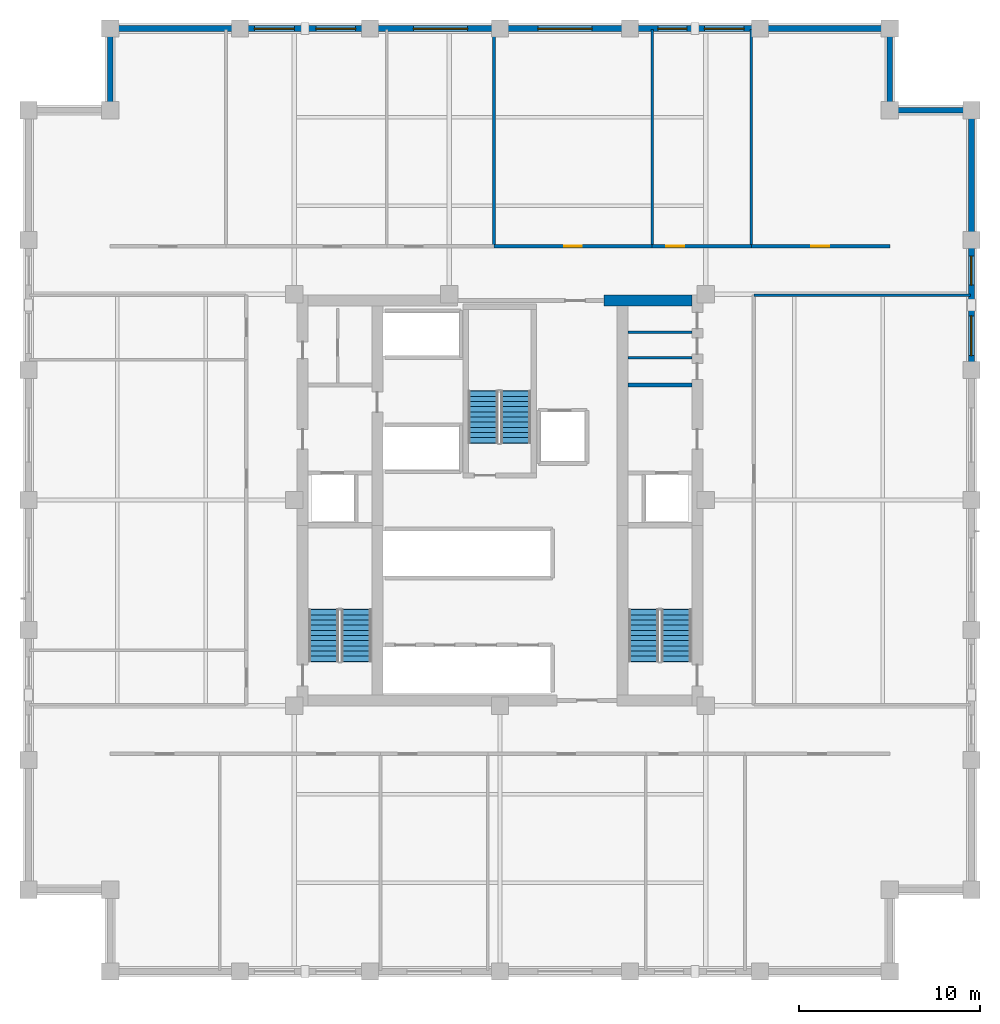
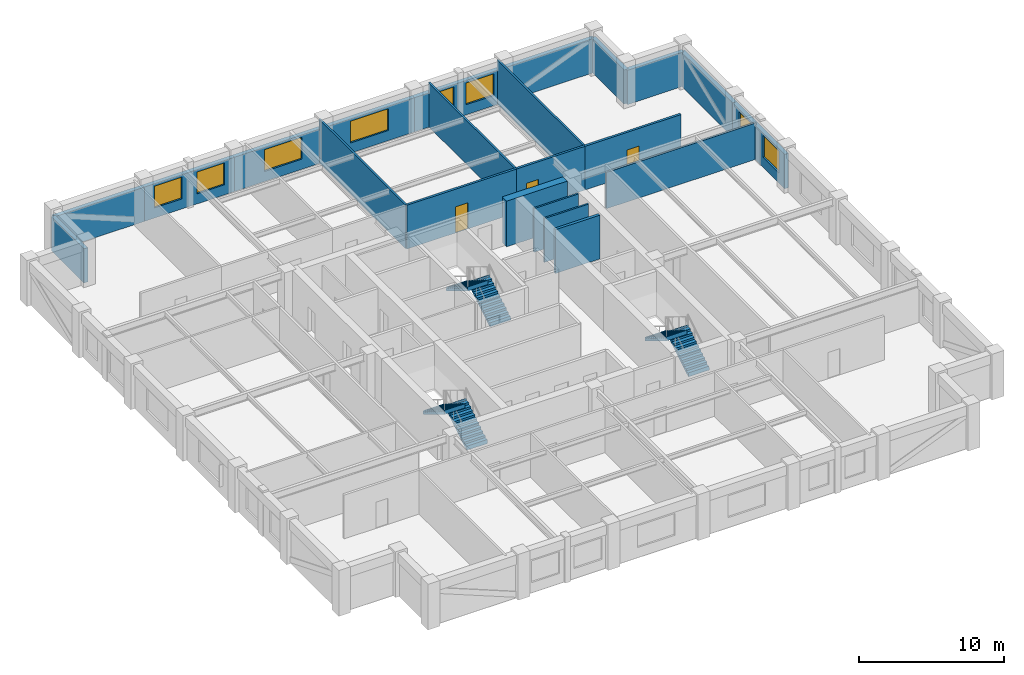
# One storey, part 8 of 9: 22 walls, 8 windows, 6 stair flights, 3 doors, 11 openings, 3 elements without a shape of their own.
"""IFC4 building model written with IfcOpenShell, lengths in metres."""

from ifc_helpers import new_model, si_unit, direction, frame, frame_2d, origin, place, context, subcontext, project, spatial, polyline, rectangle, outline, extrude, material, layer, layer_set, type_object, element, fill, aggregate, save


model = new_model("IFC4")

# Units and contexts
model_context = context("Model", 3, precision=1e-05, world=origin(), true_north=direction((0.0, 1.0)))
body_context = subcontext(model_context, "Body", "Model", "MODEL_VIEW")
ifc_project = project(units=[si_unit("LENGTHUNIT", "METRE"), si_unit("AREAUNIT", "SQUARE_METRE"), si_unit("VOLUMEUNIT", "CUBIC_METRE"), si_unit("PLANEANGLEUNIT", "RADIAN"), si_unit("MASSUNIT", "GRAM", prefix="KILO")], contexts=[model_context])

# Site, building, storey
site_placement = place(None, origin())
site = spatial("IfcSite", under=ifc_project, at=site_placement, CompositionType="ELEMENT")
building_placement = place(site_placement, origin())
building = spatial("IfcBuilding", under=site, at=building_placement, Name="Nhamokura Convention Tower", CompositionType="ELEMENT")
storey_placement = place(building_placement, frame((0.0, 0.0, 126.0)))
storey = spatial("IfcBuildingStorey", under=building, at=storey_placement, Name="L30", CompositionType="ELEMENT", Elevation=126.0)

# Walls
ifc_material_1 = material(Name="Moisture-resistant tile-backer partition", Category="masonry")
ifc_layer_1 = layer(ifc_material_1, 0.139892578125)
ifc_layer_set_1 = layer_set([ifc_layer_1], Name="BathroomWetWall_140")
wall_type_1 = type_object("IfcWallType", Name="BathroomWetWall_140", PredefinedType="STANDARD", material=ifc_layer_set_1)
for number, where, z_axis, x_axis, name in (
    (1, (39.06005859375, 39.85009765625, 0.0), (0.0, 0.0, 1.0), (1.0, 0.0, 0.0), "L30 Wall INT-L30-CWNE1"),
    (2, (39.06005859375, 41.25, 0.0), (0.0, 0.0, 1.0), (1.0, 0.0, 0.0), "L30 Wall INT-L30-CWNE2"),
):
    element("IfcWall", number, at=place(storey_placement, frame(where, z_axis=z_axis, x_axis=x_axis)), inside=storey, type_object=wall_type_1, Name=name, PredefinedType="STANDARD", context=body_context, shape_type="SweptSolid", body=[
        extrude(rectangle(XDim=3.530029296875, YDim=0.139892578125, at=frame_2d((1.76513671875, 0.0))), origin(), (0.0, 0.0, 1.0), 3.68505859375),
    ])
ifc_material_2 = material(Name="Bronze-pigmented precast concrete C45/55", Category="concrete")
ifc_layer_2 = layer(ifc_material_2, 0.320068359375)
ifc_layer_set_2 = layer_set([ifc_layer_2], Name="BronzePrecastSpandrel_320")
wall_type_2 = type_object("IfcWallType", Name="BronzePrecastSpandrel_320", PredefinedType="USERDEFINED", material=ifc_layer_set_2)
wall_1_placement = place(storey_placement, frame((10.5, 58.0, 0.0), z_axis=(0.0, 0.0, 1.0), x_axis=(1.0, 0.0, 0.0)))
element("IfcWall", 3, at=wall_1_placement, inside=storey, type_object=wall_type_2, Name="L30 Braced-Bay Precast Wall NORTH 0", ObjectType="SPANDREL_WALL", PredefinedType="USERDEFINED", context=body_context, shape_type="SweptSolid", body=[
    extrude(rectangle(XDim=7.166748046875, YDim=0.320068359375, at=frame_2d((3.58349609375, 0.0))), origin(), (0.0, 0.0, 1.0), 2.885009765625),
])

# Wall, openings, windows
wall_2_placement = place(storey_placement, frame((17.666748046875, 58.0, 0.0), z_axis=(0.0, 0.0, 1.0), x_axis=(1.0, 0.0, 0.0)))
wall_2 = element("IfcWall", 4, at=wall_2_placement, inside=storey, type_object=wall_type_2, Name="L30 Masonry-Frame Wall NORTH 1", ObjectType="SPANDREL_WALL", PredefinedType="USERDEFINED", context=body_context, shape_type="SweptSolid", body=[
    extrude(rectangle(XDim=7.16650390625, YDim=0.320068359375, at=frame_2d((3.583251953125, 0.0))), origin(), (0.0, 0.0, 1.0), 2.885009765625),
])
opening_1_placement = place(wall_2_placement, frame((0.791748046875, 0.0, 0.85009765625)))
opening_1 = element("IfcOpeningElement", 5, at=opening_1_placement, cuts=wall_2, Name="Opening W-06", PredefinedType="OPENING", context=body_context, shape_type="SweptSolid", body=[
    extrude(rectangle(XDim=2.199951171875, YDim=1.8349609375, at=frame_2d((1.10009765625, 0.91748046875))), frame((0.0, 0.169921875, 0.0), z_axis=(0.0, -1.0, 0.0), x_axis=(1.0, 0.0, 0.0)), (0.0, 0.0, 1.0), 0.340087890625),
])
opening_2_placement = place(wall_2_placement, frame((4.175048828125, 0.0, 0.85009765625)))
opening_2 = element("IfcOpeningElement", 6, at=opening_2_placement, cuts=wall_2, Name="Opening W-06", PredefinedType="OPENING", context=body_context, shape_type="SweptSolid", body=[
    extrude(rectangle(XDim=2.199951171875, YDim=1.8349609375, at=frame_2d((1.10009765625, 0.91748046875))), frame((0.0, 0.169921875, 0.0), z_axis=(0.0, -1.0, 0.0), x_axis=(1.0, 0.0, 0.0)), (0.0, 0.0, 1.0), 0.340087890625),
])
ifc_material_3 = material(Name="Solar-control bronze low-E double glass", Category="glass")
window_type_1 = type_object("IfcWindowType", Name="OfficeModuleWindow_Z2_2200", PartitioningType="SINGLE_PANEL", PredefinedType="WINDOW", material=ifc_material_3)
window_1_placement = place(opening_1_placement, origin())
window_1 = element("IfcWindow", 7, at=window_1_placement, inside=storey, type_object=window_type_1, Name="L30 Facade Window NORTH 1-1", OverallHeight=1.8349609375, OverallWidth=2.199951171875, PartitioningType="SINGLE_PANEL", PredefinedType="WINDOW", context=body_context, shape_type="SweptSolid", body=[
    extrude(rectangle(XDim=2.199951171875, YDim=1.8349609375, at=frame_2d((1.10009765625, 0.91748046875))), frame((0.0, 0.030029296875, 0.0), z_axis=(0.0, -1.0, 0.0), x_axis=(1.0, 0.0, 0.0)), (0.0, 0.0, 1.0), 0.06005859375),
])
fill(opening_1, window_1)
window_2_placement = place(opening_2_placement, origin())
window_2 = element("IfcWindow", 8, at=window_2_placement, inside=storey, type_object=window_type_1, Name="L30 Facade Window NORTH 1-2", OverallHeight=1.8349609375, OverallWidth=2.199951171875, PartitioningType="SINGLE_PANEL", PredefinedType="WINDOW", context=body_context, shape_type="SweptSolid", body=[
    extrude(rectangle(XDim=2.199951171875, YDim=1.8349609375, at=frame_2d((1.10009765625, 0.91748046875))), frame((0.0, 0.030029296875, 0.0), z_axis=(0.0, -1.0, 0.0), x_axis=(1.0, 0.0, 0.0)), (0.0, 0.0, 1.0), 0.06005859375),
])
fill(opening_2, window_2)

# Wall, opening, window
wall_3_placement = place(storey_placement, frame((24.833251953125, 58.0, 0.0), z_axis=(0.0, 0.0, 1.0), x_axis=(1.0, 0.0, 0.0)))
wall_3 = element("IfcWall", 9, at=wall_3_placement, inside=storey, type_object=wall_type_2, Name="L30 Masonry-Frame Wall NORTH 2", ObjectType="SPANDREL_WALL", PredefinedType="USERDEFINED", context=body_context, shape_type="SweptSolid", body=[
    extrude(rectangle(XDim=7.166748046875, YDim=0.320068359375, at=frame_2d((3.58349609375, 0.0))), origin(), (0.0, 0.0, 1.0), 2.885009765625),
])
opening_3_placement = place(wall_3_placement, frame((2.38330078125, 0.0, 0.85009765625)))
opening_3 = element("IfcOpeningElement", 10, at=opening_3_placement, cuts=wall_3, Name="Opening W-05", PredefinedType="OPENING", context=body_context, shape_type="SweptSolid", body=[
    extrude(rectangle(XDim=3.0, YDim=1.8349609375, at=frame_2d((1.5, 0.91748046875))), frame((0.0, 0.169921875, 0.0), z_axis=(0.0, -1.0, 0.0), x_axis=(1.0, 0.0, 0.0)), (0.0, 0.0, 1.0), 0.340087890625),
])
ifc_material_4 = material(Name="Solar-control bronze low-E double glass", Category="glass")
window_type_2 = type_object("IfcWindowType", Name="OfficeModuleWindow_Z2_3000", PartitioningType="DOUBLE_PANEL_VERTICAL", PredefinedType="WINDOW", material=ifc_material_4)
window_3_placement = place(opening_3_placement, origin())
window_3 = element("IfcWindow", 11, at=window_3_placement, inside=storey, type_object=window_type_2, Name="L30 Facade Window NORTH 2", OverallHeight=1.8349609375, OverallWidth=3.0, PartitioningType="SINGLE_PANEL", PredefinedType="WINDOW", context=body_context, shape_type="SweptSolid", body=[
    extrude(rectangle(XDim=3.0, YDim=1.8349609375, at=frame_2d((1.5, 0.91748046875))), frame((0.0, 0.030029296875, 0.0), z_axis=(0.0, -1.0, 0.0), x_axis=(1.0, 0.0, 0.0)), (0.0, 0.0, 1.0), 0.06005859375),
])
fill(opening_3, window_3)

wall_4_placement = place(storey_placement, frame((32.0, 58.0, 0.0), z_axis=(0.0, 0.0, 1.0), x_axis=(1.0, 0.0, 0.0)))
wall_4 = element("IfcWall", 12, at=wall_4_placement, inside=storey, type_object=wall_type_2, Name="L30 Masonry-Frame Wall NORTH 3", ObjectType="SPANDREL_WALL", PredefinedType="USERDEFINED", context=body_context, shape_type="SweptSolid", body=[
    extrude(rectangle(XDim=7.166748046875, YDim=0.320068359375, at=frame_2d((3.58349609375, 0.0))), origin(), (0.0, 0.0, 1.0), 2.885009765625),
])
opening_4_placement = place(wall_4_placement, frame((2.083251953125, 0.0, 0.85009765625)))
opening_4 = element("IfcOpeningElement", 13, at=opening_4_placement, cuts=wall_4, Name="Opening W-05", PredefinedType="OPENING", context=body_context, shape_type="SweptSolid", body=[
    extrude(rectangle(XDim=3.0, YDim=1.8349609375, at=frame_2d((1.5, 0.91748046875))), frame((0.0, 0.169921875, 0.0), z_axis=(0.0, -1.0, 0.0), x_axis=(1.0, 0.0, 0.0)), (0.0, 0.0, 1.0), 0.340087890625),
])
window_4_placement = place(opening_4_placement, origin())
window_4 = element("IfcWindow", 14, at=window_4_placement, inside=storey, type_object=window_type_2, Name="L30 Facade Window NORTH 3", OverallHeight=1.8349609375, OverallWidth=3.0, PartitioningType="SINGLE_PANEL", PredefinedType="WINDOW", context=body_context, shape_type="SweptSolid", body=[
    extrude(rectangle(XDim=3.0, YDim=1.8349609375, at=frame_2d((1.5, 0.91748046875))), frame((0.0, 0.030029296875, 0.0), z_axis=(0.0, -1.0, 0.0), x_axis=(1.0, 0.0, 0.0)), (0.0, 0.0, 1.0), 0.06005859375),
])
fill(opening_4, window_4)

# Wall, openings, windows
wall_5_placement = place(storey_placement, frame((39.166748046875, 58.0, 0.0), z_axis=(0.0, 0.0, 1.0), x_axis=(1.0, 0.0, 0.0)))
wall_5 = element("IfcWall", 15, at=wall_5_placement, inside=storey, type_object=wall_type_2, Name="L30 Masonry-Frame Wall NORTH 4", ObjectType="SPANDREL_WALL", PredefinedType="USERDEFINED", context=body_context, shape_type="SweptSolid", body=[
    extrude(rectangle(XDim=7.16650390625, YDim=0.320068359375, at=frame_2d((3.583251953125, 0.0))), origin(), (0.0, 0.0, 1.0), 2.885009765625),
])
opening_5_placement = place(wall_5_placement, frame((1.541748046875, 0.0, 0.85009765625)))
opening_5 = element("IfcOpeningElement", 16, at=opening_5_placement, cuts=wall_5, Name="Opening W-11", PredefinedType="OPENING", context=body_context, shape_type="SweptSolid", body=[
    extrude(rectangle(XDim=1.60009765625, YDim=1.8349609375, at=frame_2d((0.800048828125, 0.91748046875))), frame((0.0, 0.169921875, 0.0), z_axis=(0.0, -1.0, 0.0), x_axis=(1.0, 0.0, 0.0)), (0.0, 0.0, 1.0), 0.340087890625),
])
opening_6_placement = place(wall_5_placement, frame((4.10009765625, 0.0, 0.85009765625)))
opening_6 = element("IfcOpeningElement", 17, at=opening_6_placement, cuts=wall_5, Name="Opening W-06", PredefinedType="OPENING", context=body_context, shape_type="SweptSolid", body=[
    extrude(rectangle(XDim=2.199951171875, YDim=1.8349609375, at=frame_2d((1.10009765625, 0.91748046875))), frame((0.0, 0.169921875, 0.0), z_axis=(0.0, -1.0, 0.0), x_axis=(1.0, 0.0, 0.0)), (0.0, 0.0, 1.0), 0.340087890625),
])
ifc_material_5 = material(Name="Solar-control bronze low-E double glass", Category="glass")
window_type_3 = type_object("IfcWindowType", Name="NotchCornerWindow_1600", PartitioningType="SINGLE_PANEL", PredefinedType="WINDOW", material=ifc_material_5)
window_5_placement = place(opening_5_placement, origin())
window_5 = element("IfcWindow", 18, at=window_5_placement, inside=storey, type_object=window_type_3, Name="L30 Facade Window NORTH 4-2", OverallHeight=1.8349609375, OverallWidth=1.60009765625, PartitioningType="SINGLE_PANEL", PredefinedType="WINDOW", context=body_context, shape_type="SweptSolid", body=[
    extrude(rectangle(XDim=1.60009765625, YDim=1.8349609375, at=frame_2d((0.800048828125, 0.91748046875))), frame((0.0, 0.030029296875, 0.0), z_axis=(0.0, -1.0, 0.0), x_axis=(1.0, 0.0, 0.0)), (0.0, 0.0, 1.0), 0.06005859375),
])
fill(opening_5, window_5)
window_6_placement = place(opening_6_placement, origin())
window_6 = element("IfcWindow", 19, at=window_6_placement, inside=storey, type_object=window_type_1, Name="L30 Facade Window NORTH 4-3", OverallHeight=1.8349609375, OverallWidth=2.199951171875, PartitioningType="SINGLE_PANEL", PredefinedType="WINDOW", context=body_context, shape_type="SweptSolid", body=[
    extrude(rectangle(XDim=2.199951171875, YDim=1.8349609375, at=frame_2d((1.10009765625, 0.91748046875))), frame((0.0, 0.030029296875, 0.0), z_axis=(0.0, -1.0, 0.0), x_axis=(1.0, 0.0, 0.0)), (0.0, 0.0, 1.0), 0.06005859375),
])
fill(opening_6, window_6)

# Wall
wall_6_placement = place(storey_placement, frame((46.333251953125, 58.0, 0.0), z_axis=(0.0, 0.0, 1.0), x_axis=(1.0, 0.0, 0.0)))
element("IfcWall", 20, at=wall_6_placement, inside=storey, type_object=wall_type_2, Name="L30 Braced-Bay Precast Wall NORTH 5", ObjectType="SPANDREL_WALL", PredefinedType="USERDEFINED", context=body_context, shape_type="SweptSolid", body=[
    extrude(rectangle(XDim=7.166748046875, YDim=0.320068359375, at=frame_2d((3.58349609375, 0.0))), origin(), (0.0, 0.0, 1.0), 2.885009765625),
])

# Wall, openings, windows
wall_7_placement = place(storey_placement, frame((58.0, 46.333251953125, 0.0), z_axis=(0.0, 0.0, 1.0), x_axis=(0.0, -1.0, 0.0)))
wall_7 = element("IfcWall", 21, at=wall_7_placement, inside=storey, type_object=wall_type_2, Name="L30 Masonry-Frame Wall EAST 4", ObjectType="SPANDREL_WALL", PredefinedType="USERDEFINED", context=body_context, shape_type="SweptSolid", body=[
    extrude(rectangle(XDim=7.16650390625, YDim=0.320068359375, at=frame_2d((3.583251953125, 0.0))), origin(), (0.0, 0.0, 1.0), 2.885009765625),
])
opening_7_placement = place(wall_7_placement, frame((0.879150390625, 0.0, 0.85009765625)))
opening_7 = element("IfcOpeningElement", 22, at=opening_7_placement, cuts=wall_7, Name="Opening W-11", PredefinedType="OPENING", context=body_context, shape_type="SweptSolid", body=[
    extrude(rectangle(XDim=1.60009765625, YDim=1.8349609375, at=frame_2d((0.800048828125, 0.91748046875))), frame((0.0, 0.169921875, 0.0), z_axis=(0.0, -1.0, 0.0), x_axis=(1.0, 0.0, 0.0)), (0.0, 0.0, 1.0), 0.340087890625),
])
opening_8_placement = place(wall_7_placement, frame((4.175048828125, 0.0, 0.85009765625)))
opening_8 = element("IfcOpeningElement", 23, at=opening_8_placement, cuts=wall_7, Name="Opening W-06", PredefinedType="OPENING", context=body_context, shape_type="SweptSolid", body=[
    extrude(rectangle(XDim=2.199951171875, YDim=1.8349609375, at=frame_2d((1.10009765625, 0.91748046875))), frame((0.0, 0.169921875, 0.0), z_axis=(0.0, -1.0, 0.0), x_axis=(1.0, 0.0, 0.0)), (0.0, 0.0, 1.0), 0.340087890625),
])
window_7_placement = place(opening_7_placement, origin())
window_7 = element("IfcWindow", 24, at=window_7_placement, inside=storey, type_object=window_type_3, Name="L30 Facade Window EAST 4-1", OverallHeight=1.8349609375, OverallWidth=1.60009765625, PartitioningType="SINGLE_PANEL", PredefinedType="WINDOW", context=body_context, shape_type="SweptSolid", body=[
    extrude(rectangle(XDim=1.60009765625, YDim=1.8349609375, at=frame_2d((0.800048828125, 0.91748046875))), frame((0.0, 0.030029296875, 0.0), z_axis=(0.0, -1.0, 0.0), x_axis=(1.0, 0.0, 0.0)), (0.0, 0.0, 1.0), 0.06005859375),
])
fill(opening_7, window_7)
window_8_placement = place(opening_8_placement, origin())
window_8 = element("IfcWindow", 25, at=window_8_placement, inside=storey, type_object=window_type_1, Name="L30 Facade Window EAST 4-2", OverallHeight=1.8349609375, OverallWidth=2.199951171875, PartitioningType="SINGLE_PANEL", PredefinedType="WINDOW", context=body_context, shape_type="SweptSolid", body=[
    extrude(rectangle(XDim=2.199951171875, YDim=1.8349609375, at=frame_2d((1.10009765625, 0.91748046875))), frame((0.0, 0.030029296875, 0.0), z_axis=(0.0, -1.0, 0.0), x_axis=(1.0, 0.0, 0.0)), (0.0, 0.0, 1.0), 0.06005859375),
])
fill(opening_8, window_8)

# Walls
wall_8_placement = place(storey_placement, frame((58.0, 53.5, 0.0), z_axis=(0.0, 0.0, 1.0), x_axis=(0.0, -1.0, 0.0)))
element("IfcWall", 26, at=wall_8_placement, inside=storey, type_object=wall_type_2, Name="L30 Braced-Bay Precast Wall EAST 5", ObjectType="SPANDREL_WALL", PredefinedType="USERDEFINED", context=body_context, shape_type="SweptSolid", body=[
    extrude(rectangle(XDim=7.166748046875, YDim=0.320068359375, at=frame_2d((3.58349609375, 0.0))), origin(), (0.0, 0.0, 1.0), 2.885009765625),
])
for number, where, z_axis, x_axis, name in (
    (27, (53.5, 53.5, 0.0), (0.0, 0.0, 1.0), (1.0, 0.0, 0.0), "L30 Notched Corner Wall NE1"),
    (28, (53.5, 58.0, 0.0), (0.0, 0.0, 1.0), (0.0, -1.0, 0.0), "L30 Notched Corner Wall NE2"),
    (29, (10.5, 53.5, 0.0), (0.0, 0.0, 1.0), (0.0, 1.0, 0.0), "L30 Notched Corner Wall NW1"),
):
    element("IfcWall", number, at=place(storey_placement, frame(where, z_axis=z_axis, x_axis=x_axis)), inside=storey, type_object=wall_type_2, Name=name, ObjectType="SPANDREL_WALL", PredefinedType="USERDEFINED", context=body_context, shape_type="SweptSolid", body=[
        extrude(rectangle(XDim=4.5, YDim=0.320068359375, at=frame_2d((2.25, 0.0))), origin(), (0.0, 0.0, 1.0), 2.885009765625),
    ])
ifc_material_6 = material(Name="Concrete C60/75", Category="concrete")
ifc_layer_3 = layer(ifc_material_6, 0.60009765625)
ifc_layer_set_3 = layer_set([ifc_layer_3], Name="CoreShearWall_600")
wall_type_3 = type_object("IfcWallType", Name="CoreShearWall_600", PredefinedType="SHEAR", material=ifc_layer_set_3)
wall_9_placement = place(storey_placement, frame((37.75, 43.0, 0.0), z_axis=(0.0, 0.0, 1.0), x_axis=(1.0, 0.0, 0.0)))
element("IfcWall", 30, at=wall_9_placement, inside=storey, type_object=wall_type_3, Name="L30 Core Shear Wall CW-N2", PredefinedType="SHEAR", context=body_context, shape_type="SweptSolid", body=[
    extrude(rectangle(XDim=4.840087890625, YDim=0.60009765625, at=frame_2d((2.419921875, 0.0))), origin(), (0.0, 0.0, 1.0), 3.85009765625),
])

# Wall, opening, door
ifc_material_7 = material(Name="Fire-rated gypsum and masonry partition", Category="masonry")
ifc_layer_4 = layer(ifc_material_7, 0.179931640625)
ifc_layer_set_4 = layer_set([ifc_layer_4], Name="CorridorRatedWall_180")
wall_type_4 = type_object("IfcWallType", Name="CorridorRatedWall_180", PredefinedType="STANDARD", material=ifc_layer_set_4)
wall_10_placement = place(storey_placement, frame((31.675048828125, 46.0, 0.0), z_axis=(0.0, 0.0, 1.0), x_axis=(1.0, 0.0, 0.0)))
wall_10 = element("IfcWall", 31, at=wall_10_placement, inside=storey, type_object=wall_type_4, Name="L30 Wall INT-L30-CW-N03", PredefinedType="STANDARD", context=body_context, shape_type="SweptSolid", body=[
    extrude(rectangle(XDim=8.716552734375, YDim=0.179931640625, at=frame_2d((4.3583984375, 0.0))), origin(), (0.0, 0.0, 1.0), 3.68505859375),
])
opening_9_placement = place(wall_10_placement, frame((3.8583984375, 0.0, 0.0)))
opening_9 = element("IfcOpeningElement", 32, at=opening_9_placement, cuts=wall_10, Name="Opening D-08", PredefinedType="OPENING", context=body_context, shape_type="SweptSolid", body=[
    extrude(rectangle(XDim=0.97998046875, YDim=2.199951171875, at=frame_2d((0.489990234375, 1.10009765625))), frame((0.0, 0.099853515625, 0.0), z_axis=(0.0, -1.0, 0.0), x_axis=(1.0, 0.0, 0.0)), (0.0, 0.0, 1.0), 0.199951171875),
])
ifc_material_8 = material(Name="Solid oak hardwood", Category="wood")
door_type = type_object("IfcDoorType", Name="OfficeEntryDoor_980", OperationType="NOTDEFINED", PredefinedType="DOOR", material=ifc_material_8)
door_1_placement = place(opening_9_placement, origin())
door_1 = element("IfcDoor", 33, at=door_1_placement, inside=storey, type_object=door_type, Name="L30 Law Library N04 Door", OperationType="SINGLE_SWING_RIGHT", OverallHeight=2.199951171875, OverallWidth=0.97998046875, PredefinedType="DOOR", context=body_context, shape_type="SweptSolid", body=[
    extrude(rectangle(XDim=0.97998046875, YDim=2.199951171875, at=frame_2d((0.489990234375, 1.10009765625))), frame((0.0, 0.02490234375, 0.0), z_axis=(0.0, -1.0, 0.0), x_axis=(1.0, 0.0, 0.0)), (0.0, 0.0, 1.0), 0.050048828125),
])
fill(opening_9, door_1)

wall_11_placement = place(storey_placement, frame((40.3916015625, 46.0, 0.0), z_axis=(0.0, 0.0, 1.0), x_axis=(1.0, 0.0, 0.0)))
wall_11 = element("IfcWall", 34, at=wall_11_placement, inside=storey, type_object=wall_type_4, Name="L30 Wall INT-L30-CW-N04", PredefinedType="STANDARD", context=body_context, shape_type="SweptSolid", body=[
    extrude(rectangle(XDim=5.466796875, YDim=0.179931640625, at=frame_2d((2.7333984375, 0.0))), origin(), (0.0, 0.0, 1.0), 3.68505859375),
])
opening_10_placement = place(wall_11_placement, frame((0.783203125, 0.0, 0.0)))
opening_10 = element("IfcOpeningElement", 35, at=opening_10_placement, cuts=wall_11, Name="Opening D-08", PredefinedType="OPENING", context=body_context, shape_type="SweptSolid", body=[
    extrude(rectangle(XDim=0.97998046875, YDim=2.199951171875, at=frame_2d((0.489990234375, 1.10009765625))), frame((0.0, 0.099853515625, 0.0), z_axis=(0.0, -1.0, 0.0), x_axis=(1.0, 0.0, 0.0)), (0.0, 0.0, 1.0), 0.199951171875),
])
door_2_placement = place(opening_10_placement, origin())
door_2 = element("IfcDoor", 36, at=door_2_placement, inside=storey, type_object=door_type, Name="L30 Training Classroom N05 Door", OperationType="SINGLE_SWING_LEFT", OverallHeight=2.199951171875, OverallWidth=0.97998046875, PredefinedType="DOOR", context=body_context, shape_type="SweptSolid", body=[
    extrude(rectangle(XDim=0.97998046875, YDim=2.199951171875, at=frame_2d((0.489990234375, 1.10009765625))), frame((0.0, 0.02490234375, 0.0), z_axis=(0.0, -1.0, 0.0), x_axis=(1.0, 0.0, 0.0)), (0.0, 0.0, 1.0), 0.050048828125),
])
fill(opening_10, door_2)

wall_12_placement = place(storey_placement, frame((45.8583984375, 46.0, 0.0), z_axis=(0.0, 0.0, 1.0), x_axis=(1.0, 0.0, 0.0)))
wall_12 = element("IfcWall", 37, at=wall_12_placement, inside=storey, type_object=wall_type_4, Name="L30 Wall INT-L30-CW-N05", PredefinedType="STANDARD", context=body_context, shape_type="SweptSolid", body=[
    extrude(rectangle(XDim=7.6416015625, YDim=0.179931640625, at=frame_2d((3.82080078125, 0.0))), origin(), (0.0, 0.0, 1.0), 3.68505859375),
])
opening_11_placement = place(wall_12_placement, frame((3.32080078125, 0.0, 0.0)))
opening_11 = element("IfcOpeningElement", 38, at=opening_11_placement, cuts=wall_12, Name="Opening D-08", PredefinedType="OPENING", context=body_context, shape_type="SweptSolid", body=[
    extrude(rectangle(XDim=0.97998046875, YDim=2.199951171875, at=frame_2d((0.489990234375, 1.10009765625))), frame((0.0, 0.099853515625, 0.0), z_axis=(0.0, -1.0, 0.0), x_axis=(1.0, 0.0, 0.0)), (0.0, 0.0, 1.0), 0.199951171875),
])
door_3_placement = place(opening_11_placement, origin())
door_3 = element("IfcDoor", 39, at=door_3_placement, inside=storey, type_object=door_type, Name="L30 Law Library N06 Door", OperationType="SINGLE_SWING_RIGHT", OverallHeight=2.199951171875, OverallWidth=0.97998046875, PredefinedType="DOOR", context=body_context, shape_type="SweptSolid", body=[
    extrude(rectangle(XDim=0.97998046875, YDim=2.199951171875, at=frame_2d((0.489990234375, 1.10009765625))), frame((0.0, 0.02490234375, 0.0), z_axis=(0.0, -1.0, 0.0), x_axis=(1.0, 0.0, 0.0)), (0.0, 0.0, 1.0), 0.050048828125),
])
fill(opening_11, door_3)

# Walls
ifc_material_9 = material(Name="Autoclaved concrete blockwork", Category="masonry")
ifc_layer_5 = layer(ifc_material_9, 0.219970703125)
ifc_layer_set_5 = layer_set([ifc_layer_5], Name="FireLobbyWall_220")
wall_type_5 = type_object("IfcWallType", Name="FireLobbyWall_220", PredefinedType="STANDARD", material=ifc_layer_set_5)
wall_13_placement = place(storey_placement, frame((39.06005859375, 38.35009765625, 0.0), z_axis=(0.0, 0.0, 1.0), x_axis=(1.0, 0.0, 0.0)))
element("IfcWall", 40, at=wall_13_placement, inside=storey, type_object=wall_type_5, Name="L30 Wall INT-L30-FFE-N", PredefinedType="STANDARD", context=body_context, shape_type="SweptSolid", body=[
    extrude(rectangle(XDim=3.530029296875, YDim=0.219970703125, at=frame_2d((1.76513671875, 0.0))), origin(), (0.0, 0.0, 1.0), 3.68505859375),
])
ifc_material_10 = material(Name="Acoustic gypsum stud partition", Category="masonry")
ifc_layer_6 = layer(ifc_material_10, 0.14990234375)
ifc_layer_set_6 = layer_set([ifc_layer_6], Name="InteriorPartition_150")
wall_type_6 = type_object("IfcWallType", Name="InteriorPartition_150", PredefinedType="STANDARD", material=ifc_layer_set_6)
for number, where, z_axis, x_axis, name in (
    (41, (31.675048828125, 46.0, 0.0), (0.0, 0.0, 1.0), (0.0, 1.0, 0.0), "L30 Wall INT-L30-RW-N03"),
    (42, (40.3916015625, 46.0, 0.0), (0.0, 0.0, 1.0), (0.0, 1.0, 0.0), "L30 Wall INT-L30-RW-N04"),
    (43, (45.8583984375, 46.0, 0.0), (0.0, 0.0, 1.0), (0.0, 1.0, 0.0), "L30 Wall INT-L30-RW-N05"),
):
    element("IfcWall", number, at=place(storey_placement, frame(where, z_axis=z_axis, x_axis=x_axis)), inside=storey, type_object=wall_type_6, Name=name, PredefinedType="STANDARD", context=body_context, shape_type="SweptSolid", body=[
        extrude(rectangle(XDim=11.93994140625, YDim=0.14990234375, at=frame_2d((5.969970703125, 0.0))), origin(), (0.0, 0.0, 1.0), 3.68505859375),
    ])
wall_14_placement = place(storey_placement, frame((46.0, 43.300048828125, 0.0), z_axis=(0.0, 0.0, 1.0), x_axis=(1.0, 0.0, 0.0)))
element("IfcWall", 44, at=wall_14_placement, inside=storey, type_object=wall_type_6, Name="L30 Wall INT-L30-RWT-E", PredefinedType="STANDARD", context=body_context, shape_type="SweptSolid", body=[
    extrude(rectangle(XDim=11.93994140625, YDim=0.14990234375, at=frame_2d((5.969970703125, 0.0))), origin(), (0.0, 0.0, 1.0), 3.055908203125),
])

# Stair, stair flights
ifc_material_11 = material(Name="Concrete C40/50", Category="concrete")
stair_type = type_object("IfcStairType", Name="TowerCoreStair_1650", PredefinedType="HALF_TURN_STAIR", material=ifc_material_11)
stair_1_placement = place(storey_placement, origin())
stair_1 = element("IfcStair", 45, at=stair_1_placement, inside=storey, type_object=stair_type, Name="L30 West Core Smokeproof Stair ST-01", PredefinedType="HALF_TURN_STAIR")
ifc_material_12 = material(Name="Concrete C40/50", Category="concrete")
stair_flight_type = type_object("IfcStairFlightType", Name="TowerCoreStair_1650_Flight", PredefinedType="STRAIGHT", material=ifc_material_12)
stair_flight_1_placement = place(storey_placement, frame((24.074951171875, 23.10009765625, 0.0), z_axis=(0.0, 0.0, 1.0), x_axis=(0.0, 1.0, 0.0)))
stair_flight_1 = element("IfcStairFlight", 46, at=stair_flight_1_placement, type_object=stair_flight_type, Name="ST-01 flight 1", NumberOfRisers=11, NumberOfTreads=10, PredefinedType="STRAIGHT", RiserHeight=0.175, TreadLength=0.285, context=body_context, shape_type="SweptSolid", body=[
    extrude(outline(polyline([(-0.0419921875, 0.0), (0.0, 0.175048828125), (0.284912109375, 0.175048828125), (0.284912109375, 0.35009765625), (0.570068359375, 0.35009765625), (0.570068359375, 0.52490234375), (0.85498046875, 0.52490234375), (0.85498046875, 0.699951171875), (1.139892578125, 0.699951171875), (1.139892578125, 0.875), (1.425048828125, 0.875), (1.425048828125, 1.050048828125), (1.7099609375, 1.050048828125), (1.7099609375, 1.22509765625), (1.9951171875, 1.22509765625), (1.9951171875, 1.39990234375), (2.280029296875, 1.39990234375), (2.280029296875, 1.574951171875), (2.56494140625, 1.574951171875), (2.56494140625, 1.75), (2.85009765625, 1.75), (2.85009765625, 1.925048828125), (2.89208984375, 1.925048828125), (2.89208984375, 1.573974609375), (2.85009765625, 1.573974609375), (0.286376953125, 0.0), (0.02001953125, -0.1298828125), (-0.0419921875, -0.1298828125), (-0.0419921875, 0.0)])), frame((0.0, 0.824951171875, 0.0), z_axis=(0.0, -1.0, 0.0), x_axis=(1.0, 0.0, 0.0)), (0.0, 0.0, 1.0), 1.64990234375),
])
stair_flight_2_placement = place(storey_placement, frame((22.27490234375, 25.949951171875, 1.925048828125), z_axis=(0.0, 0.0, 1.0), x_axis=(0.0, -1.0, 0.0)))
stair_flight_2 = element("IfcStairFlight", 47, at=stair_flight_2_placement, type_object=stair_flight_type, Name="ST-01 flight 2", NumberOfRisers=11, NumberOfTreads=10, PredefinedType="STRAIGHT", RiserHeight=0.175, TreadLength=0.285, context=body_context, shape_type="SweptSolid", body=[
    extrude(outline(polyline([(-0.0419921875, 0.0), (0.0, 0.175048828125), (0.284912109375, 0.175048828125), (0.284912109375, 0.35009765625), (0.570068359375, 0.35009765625), (0.570068359375, 0.52490234375), (0.85498046875, 0.52490234375), (0.85498046875, 0.699951171875), (1.139892578125, 0.699951171875), (1.139892578125, 0.875), (1.425048828125, 0.875), (1.425048828125, 1.050048828125), (1.7099609375, 1.050048828125), (1.7099609375, 1.22509765625), (1.9951171875, 1.22509765625), (1.9951171875, 1.39990234375), (2.280029296875, 1.39990234375), (2.280029296875, 1.574951171875), (2.56494140625, 1.574951171875), (2.56494140625, 1.75), (2.85009765625, 1.75), (2.85009765625, 1.925048828125), (2.89208984375, 1.925048828125), (2.89208984375, 1.573974609375), (2.85009765625, 1.573974609375), (0.286376953125, 0.0), (0.02001953125, -0.1298828125), (-0.0419921875, -0.1298828125), (-0.0419921875, 0.0)])), frame((0.0, 0.824951171875, 0.0), z_axis=(0.0, -1.0, 0.0), x_axis=(1.0, 0.0, 0.0)), (0.0, 0.0, 1.0), 1.64990234375),
])
aggregate(stair_1, [stair_flight_1, stair_flight_2])

stair_2_placement = place(storey_placement, origin())
stair_2 = element("IfcStair", 48, at=stair_2_placement, inside=storey, type_object=stair_type, Name="L30 East Core Smokeproof Stair ST-02", PredefinedType="HALF_TURN_STAIR")
stair_flight_3_placement = place(storey_placement, frame((41.72509765625, 23.10009765625, 0.0), z_axis=(0.0, 0.0, 1.0), x_axis=(0.0, 1.0, 0.0)))
stair_flight_3 = element("IfcStairFlight", 49, at=stair_flight_3_placement, type_object=stair_flight_type, Name="ST-02 flight 1", NumberOfRisers=11, NumberOfTreads=10, PredefinedType="STRAIGHT", RiserHeight=0.175, TreadLength=0.285, context=body_context, shape_type="SweptSolid", body=[
    extrude(outline(polyline([(-0.0419921875, 0.0), (0.0, 0.175048828125), (0.284912109375, 0.175048828125), (0.284912109375, 0.35009765625), (0.570068359375, 0.35009765625), (0.570068359375, 0.52490234375), (0.85498046875, 0.52490234375), (0.85498046875, 0.699951171875), (1.139892578125, 0.699951171875), (1.139892578125, 0.875), (1.425048828125, 0.875), (1.425048828125, 1.050048828125), (1.7099609375, 1.050048828125), (1.7099609375, 1.22509765625), (1.9951171875, 1.22509765625), (1.9951171875, 1.39990234375), (2.280029296875, 1.39990234375), (2.280029296875, 1.574951171875), (2.56494140625, 1.574951171875), (2.56494140625, 1.75), (2.85009765625, 1.75), (2.85009765625, 1.925048828125), (2.89208984375, 1.925048828125), (2.89208984375, 1.573974609375), (2.85009765625, 1.573974609375), (0.286376953125, 0.0), (0.02001953125, -0.1298828125), (-0.0419921875, -0.1298828125), (-0.0419921875, 0.0)])), frame((0.0, 0.824951171875, 0.0), z_axis=(0.0, -1.0, 0.0), x_axis=(1.0, 0.0, 0.0)), (0.0, 0.0, 1.0), 1.64990234375),
])
stair_flight_4_placement = place(storey_placement, frame((39.925048828125, 25.949951171875, 1.925048828125), z_axis=(0.0, 0.0, 1.0), x_axis=(0.0, -1.0, 0.0)))
stair_flight_4 = element("IfcStairFlight", 50, at=stair_flight_4_placement, type_object=stair_flight_type, Name="ST-02 flight 2", NumberOfRisers=11, NumberOfTreads=10, PredefinedType="STRAIGHT", RiserHeight=0.175, TreadLength=0.285, context=body_context, shape_type="SweptSolid", body=[
    extrude(outline(polyline([(-0.0419921875, 0.0), (0.0, 0.175048828125), (0.284912109375, 0.175048828125), (0.284912109375, 0.35009765625), (0.570068359375, 0.35009765625), (0.570068359375, 0.52490234375), (0.85498046875, 0.52490234375), (0.85498046875, 0.699951171875), (1.139892578125, 0.699951171875), (1.139892578125, 0.875), (1.425048828125, 0.875), (1.425048828125, 1.050048828125), (1.7099609375, 1.050048828125), (1.7099609375, 1.22509765625), (1.9951171875, 1.22509765625), (1.9951171875, 1.39990234375), (2.280029296875, 1.39990234375), (2.280029296875, 1.574951171875), (2.56494140625, 1.574951171875), (2.56494140625, 1.75), (2.85009765625, 1.75), (2.85009765625, 1.925048828125), (2.89208984375, 1.925048828125), (2.89208984375, 1.573974609375), (2.85009765625, 1.573974609375), (0.286376953125, 0.0), (0.02001953125, -0.1298828125), (-0.0419921875, -0.1298828125), (-0.0419921875, 0.0)])), frame((0.0, 0.824951171875, 0.0), z_axis=(0.0, -1.0, 0.0), x_axis=(1.0, 0.0, 0.0)), (0.0, 0.0, 1.0), 1.64990234375),
])
aggregate(stair_2, [stair_flight_3, stair_flight_4])

stair_3_placement = place(storey_placement, origin())
stair_3 = element("IfcStair", 51, at=stair_3_placement, inside=storey, type_object=stair_type, Name="L30 North Core Smokeproof Stair ST-03", PredefinedType="HALF_TURN_STAIR")
stair_flight_5_placement = place(storey_placement, frame((32.875, 35.14990234375, 0.0), z_axis=(0.0, 0.0, 1.0), x_axis=(0.0, 1.0, 0.0)))
stair_flight_5 = element("IfcStairFlight", 52, at=stair_flight_5_placement, type_object=stair_flight_type, Name="ST-03 flight 1", NumberOfRisers=11, NumberOfTreads=10, PredefinedType="STRAIGHT", RiserHeight=0.175, TreadLength=0.285, context=body_context, shape_type="SweptSolid", body=[
    extrude(outline(polyline([(-0.0419921875, 0.0), (0.0, 0.175048828125), (0.284912109375, 0.175048828125), (0.284912109375, 0.35009765625), (0.570068359375, 0.35009765625), (0.570068359375, 0.52490234375), (0.85498046875, 0.52490234375), (0.85498046875, 0.699951171875), (1.139892578125, 0.699951171875), (1.139892578125, 0.875), (1.425048828125, 0.875), (1.425048828125, 1.050048828125), (1.7099609375, 1.050048828125), (1.7099609375, 1.22509765625), (1.9951171875, 1.22509765625), (1.9951171875, 1.39990234375), (2.280029296875, 1.39990234375), (2.280029296875, 1.574951171875), (2.56494140625, 1.574951171875), (2.56494140625, 1.75), (2.85009765625, 1.75), (2.85009765625, 1.925048828125), (2.89208984375, 1.925048828125), (2.89208984375, 1.573974609375), (2.85009765625, 1.573974609375), (0.286376953125, 0.0), (0.02001953125, -0.1298828125), (-0.0419921875, -0.1298828125), (-0.0419921875, 0.0)])), frame((0.0, 0.824951171875, 0.0), z_axis=(0.0, -1.0, 0.0), x_axis=(1.0, 0.0, 0.0)), (0.0, 0.0, 1.0), 1.64990234375),
])
stair_flight_6_placement = place(storey_placement, frame((31.074951171875, 38.0, 1.925048828125), z_axis=(0.0, 0.0, 1.0), x_axis=(0.0, -1.0, 0.0)))
stair_flight_6 = element("IfcStairFlight", 53, at=stair_flight_6_placement, type_object=stair_flight_type, Name="ST-03 flight 2", NumberOfRisers=11, NumberOfTreads=10, PredefinedType="STRAIGHT", RiserHeight=0.175, TreadLength=0.285, context=body_context, shape_type="SweptSolid", body=[
    extrude(outline(polyline([(-0.0419921875, 0.0), (0.0, 0.175048828125), (0.284912109375, 0.175048828125), (0.284912109375, 0.35009765625), (0.570068359375, 0.35009765625), (0.570068359375, 0.52490234375), (0.85498046875, 0.52490234375), (0.85498046875, 0.699951171875), (1.139892578125, 0.699951171875), (1.139892578125, 0.875), (1.425048828125, 0.875), (1.425048828125, 1.050048828125), (1.7099609375, 1.050048828125), (1.7099609375, 1.22509765625), (1.9951171875, 1.22509765625), (1.9951171875, 1.39990234375), (2.280029296875, 1.39990234375), (2.280029296875, 1.574951171875), (2.56494140625, 1.574951171875), (2.56494140625, 1.75), (2.85009765625, 1.75), (2.85009765625, 1.925048828125), (2.89208984375, 1.925048828125), (2.89208984375, 1.573974609375), (2.85009765625, 1.573974609375), (0.286376953125, 0.0), (0.02001953125, -0.1298828125), (-0.0419921875, -0.1298828125), (-0.0419921875, 0.0)])), frame((0.0, 0.824951171875, 0.0), z_axis=(0.0, -1.0, 0.0), x_axis=(1.0, 0.0, 0.0)), (0.0, 0.0, 1.0), 1.64990234375),
])
aggregate(stair_3, [stair_flight_5, stair_flight_6])

save(model, "model.ifc")
